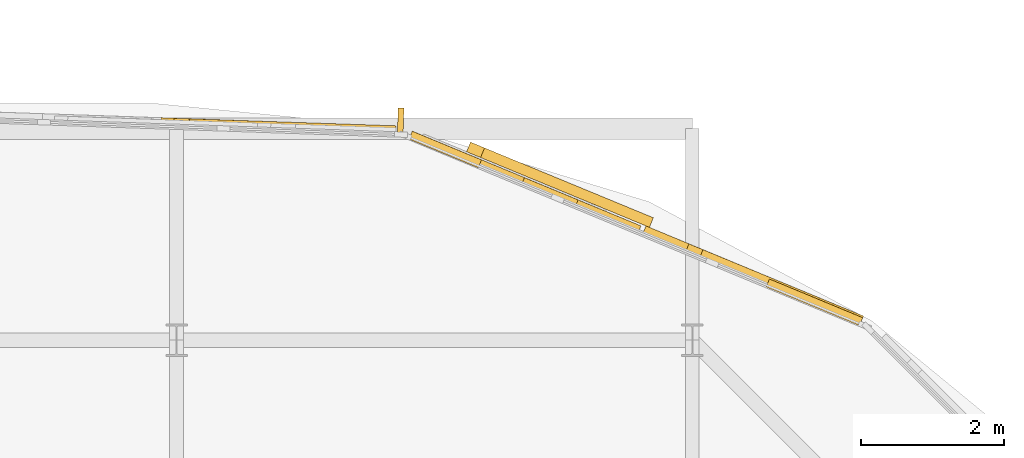
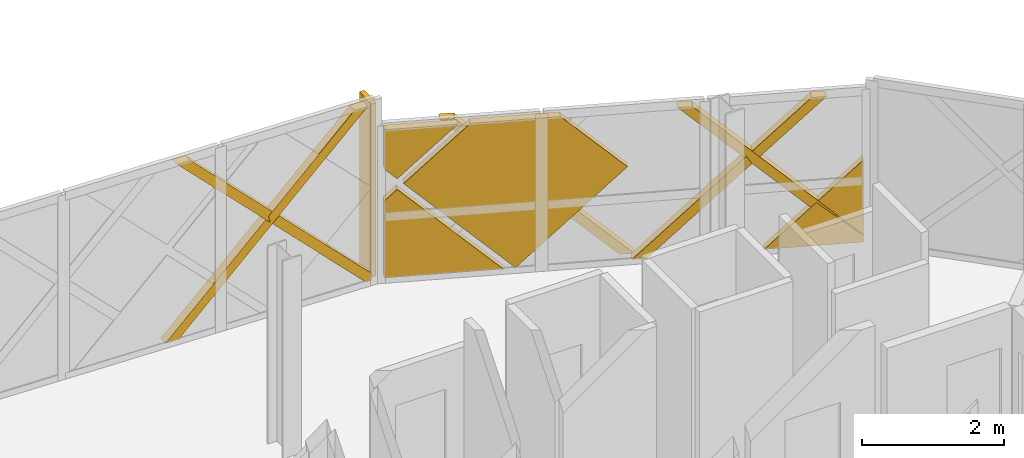
# One storey, part 25 of 25: 9 coverings, 1 shading device.
"""IFC4 building model written with IfcOpenShell, lengths in metres."""

from ifc_helpers import new_model, si_unit, direction, frame, origin, origin_2d, place, context, subcontext, project, spatial, polyline, rectangle, outline, extrude, material, layer, layer_set, type_object, element, save


model = new_model("IFC4")

# Units and contexts
model_context = context("Model", 3, precision=1e-05, world=origin(), true_north=direction((0.0, 1.0)))
body_context = subcontext(model_context, "Body", "Model", "MODEL_VIEW")
ifc_project = project(units=[si_unit("LENGTHUNIT", "METRE"), si_unit("AREAUNIT", "SQUARE_METRE"), si_unit("VOLUMEUNIT", "CUBIC_METRE"), si_unit("PLANEANGLEUNIT", "RADIAN"), si_unit("MASSUNIT", "GRAM", prefix="KILO")], contexts=[model_context])

# Site, building, storey
site_placement = place(None, origin())
site = spatial("IfcSite", under=ifc_project, at=site_placement, CompositionType="ELEMENT")
building_placement = place(site_placement, origin())
building = spatial("IfcBuilding", under=site, at=building_placement, Name="Zevrakil Square Congress Hotel", CompositionType="ELEMENT")
storey_placement = place(building_placement, frame((0.0, 0.0, 28.300048828125)))
storey = spatial("IfcBuildingStorey", under=building, at=storey_placement, Name="L08", CompositionType="ELEMENT", Elevation=28.300048828125)

# Coverings
ifc_material_1 = material(Name="Architectural White Fibre-C GRC", Category="concrete")
ifc_layer_1 = layer(ifc_material_1, 0.06494140625)
ifc_layer_set_1 = layer_set([ifc_layer_1], Name="Architectural White Fibre-C GRC")
covering_type_1 = type_object("IfcCoveringType", Name="COV-DIA-WHITE", PredefinedType="CLADDING", material=ifc_layer_set_1)
covering_1_placement = place(storey_placement, frame((157.076171875, 46.4541015625, 0.079833984375), z_axis=(0.382708598321, 0.923868946625, 0.000546107243), x_axis=(0.923869084389, -0.382708655389, 0.0)))
element("IfcCovering", 1, at=covering_1_placement, inside=storey, type_object=covering_type_1, Name="L08 45-degree white GRC diamond facade cassette 2839", PredefinedType="CLADDING", context=body_context, shape_type="SweptSolid", body=[
    extrude(outline(polyline([(0.0, 0.0), (1.409821214264322, -5.421010862427522e-20), (1.4098759644796002, -1.410156460277697), (0.0, 0.0)])), origin(), (0.0, 0.0, -1.0), 0.1201171875),
])
covering_2_placement = place(storey_placement, frame((152.26220703125, 48.447021484375, 1.58984375), z_axis=(0.382755461672, 0.923849441277, 0.000682943661), x_axis=(-0.652777584604, 0.270971988121, -0.707428870412)))
element("IfcCovering", 2, at=covering_2_placement, inside=storey, type_object=covering_type_1, Name="L08 45-degree white GRC diamond facade cassette 2840", PredefinedType="CLADDING", context=body_context, shape_type="SweptSolid", body=[
    extrude(outline(polyline([(0.0, 0.0), (0.26262867561201897, 0.0), (1.199458346386803, -0.9358985221832297), (0.000943379387218668, -2.135506779851168), (0.0, 0.0)])), origin(), (0.0, 0.0, -1.0), 0.1201171875),
])
covering_3_placement = place(storey_placement, frame((152.345458984375, 48.41259765625, 1.679931640625), z_axis=(0.382715237393, 0.923866185983, 0.00056344074), x_axis=(0.65339478864, -0.270240121922, -0.707138972679)))
element("IfcCovering", 3, at=covering_3_placement, inside=storey, type_object=covering_type_1, Name="L08 45-degree white GRC diamond facade cassette 2841", PredefinedType="CLADDING", context=body_context, shape_type="SweptSolid", body=[
    extrude(outline(polyline([(0.0, 0.0), (2.248621491835558, 2.220446049250313e-16), (2.2485595445012767, -2.2487649829223093), (0.9050701734217149, -2.248648325222881), (-6.075452519438418e-05, -1.343434627325756), (0.0, 0.0)])), origin(), (0.0, 0.0, -1.0), 0.1201171875),
])
covering_4_placement = place(storey_placement, frame((152.26220703125, 48.447021484375, 1.77001953125), z_axis=(0.382668257357, 0.923885567694, 0.000680160169), x_axis=(0.653223173276, -0.271081872684, 0.706975320784)))
element("IfcCovering", 4, at=covering_4_placement, inside=storey, type_object=covering_type_1, Name="L08 45-degree white GRC diamond facade cassette 2842", PredefinedType="CLADDING", context=body_context, shape_type="SweptSolid", body=[
    extrude(outline(polyline([(0.0, 0.0), (1.2162565663175684, 1.1102230246251565e-16), (0.47650275991476476, -0.7394790310731698), (4.3599908667313336e-05, -0.26265601581305104), (0.0, 0.0)])), origin(), (0.0, 0.0, -1.0), 0.1201171875),
])
ifc_material_2 = material(Name="Anodised Champagne Aluminium", Category="aluminium")
ifc_layer_2 = layer(ifc_material_2, 0.0849609375)
ifc_layer_set_2 = layer_set([ifc_layer_2], Name="Anodised Champagne Aluminium")
covering_type_2 = type_object("IfcCoveringType", Name="COV-DIAGRID-45", PredefinedType="MOLDING", material=ifc_layer_set_2)
covering_5_placement = place(storey_placement, frame((158.308837890625, 45.970458984375, 0.079833984375), z_axis=(0.383114056743, 0.923700489269, 0.001012743257), x_axis=(0.923700962757, -0.383114253719, 5.39569e-07)))
element("IfcCovering", 5, at=covering_5_placement, inside=storey, type_object=covering_type_2, Name="L08 45-degree aluminium diagrid rib 2843", PredefinedType="MOLDING", context=body_context, shape_type="SweptSolid", body=[
    extrude(outline(polyline([(0.0, 0.0), (0.0859187590693078, -6.776263578034403e-21), (0.08591882717411177, -0.1262206383959021), (-2.338028061267428, -2.5500514372414895), (-2.5500361712818407, -2.5500514688572755), (0.0, 0.0)])), origin(), (0.0, 0.0, -1.0), 0.14501953125),
])
covering_6_placement = place(storey_placement, frame((155.20458984375, 47.25634765625, 0.079833984375), z_axis=(-0.38208071396, -0.924128955753, 3.4046076e-05), x_axis=(0.924128956288, -0.382080714181, 0.0)))
element("IfcCovering", 6, at=covering_6_placement, inside=storey, type_object=covering_type_2, Name="L08 45-degree aluminium diagrid rib 2844", PredefinedType="MOLDING", context=body_context, shape_type="SweptSolid", body=[
    extrude(outline(polyline([(0.0, 0.0), (0.2121402219257289, 4.235164736271502e-22), (-2.3378052898890442, 2.550048829602926), (-2.549945511814773, 2.550048829602926), (0.0, 0.0)])), origin(), (0.0, 0.0, -1.0), 0.14501953125),
])
covering_7_placement = place(storey_placement, frame((157.90380859375, 46.13671875, 2.6298828125), z_axis=(0.382571886489, 0.923925488272, 0.000666175775), x_axis=(-0.923925693196, 0.382571971597, -3.54015e-07)))
element("IfcCovering", 7, at=covering_7_placement, inside=storey, type_object=covering_type_2, Name="L08 45-degree aluminium diagrid rib 2845", PredefinedType="MOLDING", context=body_context, shape_type="SweptSolid", body=[
    extrude(outline(polyline([(0.0, 0.0), (0.2122335933052803, 0.0), (2.762304837440087, -2.5500484160709664), (2.5501646454950597, -2.550048566305702), (0.0, 0.0)])), origin(), (0.0, 0.0, -1.0), 0.14501953125),
])
covering_8_placement = place(storey_placement, frame((151.780517578125, 48.595703125, 0.079833984375), z_axis=(0.03421232567, 0.999414512953, 0.000384800245), x_axis=(0.999414586946, -0.034212328182, -5.437e-08)))
element("IfcCovering", 8, at=covering_8_placement, inside=storey, type_object=covering_type_2, Name="L08 45-degree aluminium diagrid rib 2853", PredefinedType="MOLDING", context=body_context, shape_type="SweptSolid", body=[
    extrude(outline(polyline([(0.0, 0.0), (0.08598742249588914, 0.0), (0.08598741563326003, -0.1262206937801722), (-2.802870611675535, -3.015136792132154), (-3.015155193194456, -3.015136756923093), (0.0, 0.0)])), origin(), (0.0, 0.0, -1.0), 0.14501953125),
])
covering_9_placement = place(storey_placement, frame((151.8076171875, 48.593017578125, 3.094970703125), z_axis=(0.034521721638, 0.999403841431, 0.000460941854), x_axis=(-0.999403947602, 0.034521725302, 9.15e-09)))
element("IfcCovering", 9, at=covering_9_placement, inside=storey, type_object=covering_type_2, Name="L08 45-degree aluminium diagrid rib 2856", PredefinedType="MOLDING", context=body_context, shape_type="SweptSolid", body=[
    extrude(outline(polyline([(0.0, 0.0), (0.21228459038698066, -4.235164736271502e-22), (3.227069109351849, -3.015137068587473), (3.015028514069263, -3.015137064704816), (0.0, 0.0)])), origin(), (0.0, 0.0, -1.0), 0.14501953125),
])

# Shading device
ifc_material_3 = material(Name="Aluminium Anodised Bronze", Category="aluminium")
shading_device_type = type_object("IfcShadingDeviceType", Name="SHD-FIN-35", PredefinedType="JALOUSIE", material=ifc_material_3)
shading_device_placement = place(storey_placement, frame((151.928955078125, 48.665771484375, 0.099853515625), z_axis=(0.0, 0.0, 1.0), x_axis=(0.034411098062, 0.999407762793, 0.0)))
element("IfcShadingDevice", 10, at=shading_device_placement, inside=storey, type_object=shading_device_type, Name="L08 aluminium solar shading fin 158", PredefinedType="JALOUSIE", context=body_context, shape_type="SweptSolid", body=[
    extrude(rectangle(XDim=0.35009765625, YDim=0.080078125, at=origin_2d()), origin(), (0.0, 0.0, 1.0), 2.97509765625),
])

save(model, "model.ifc")
